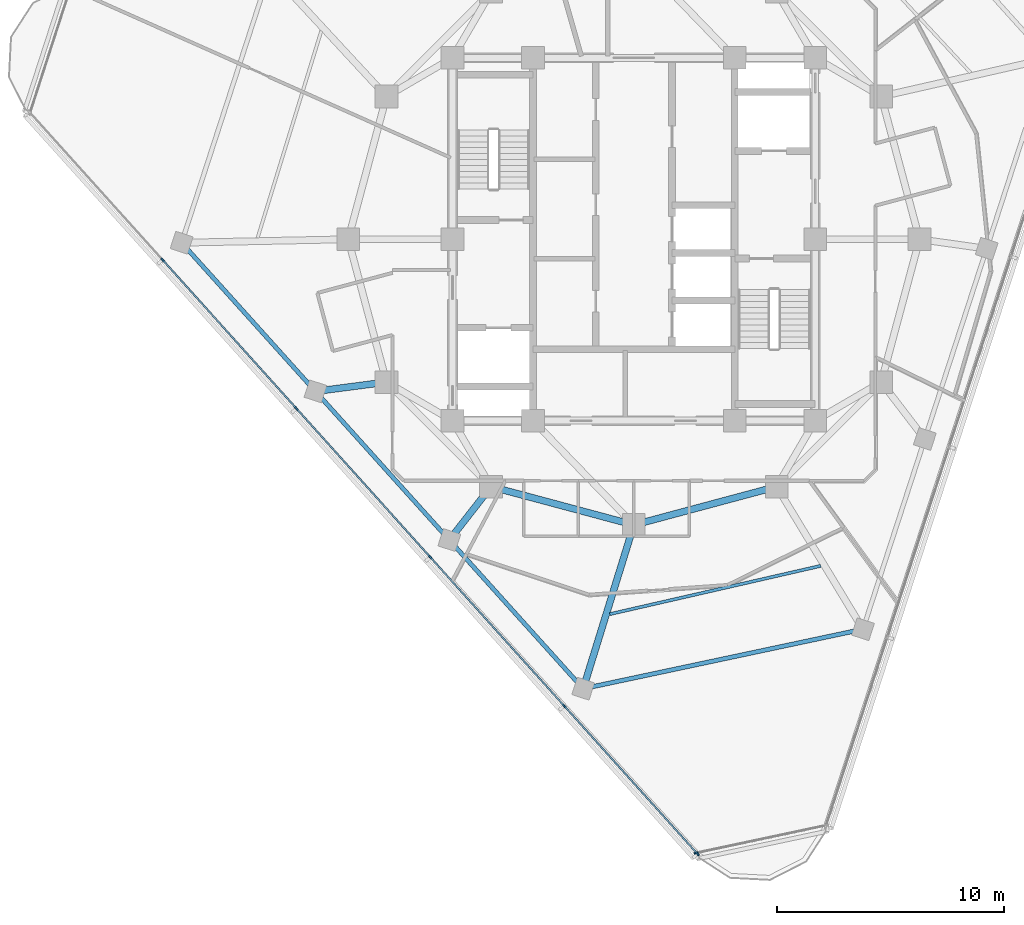
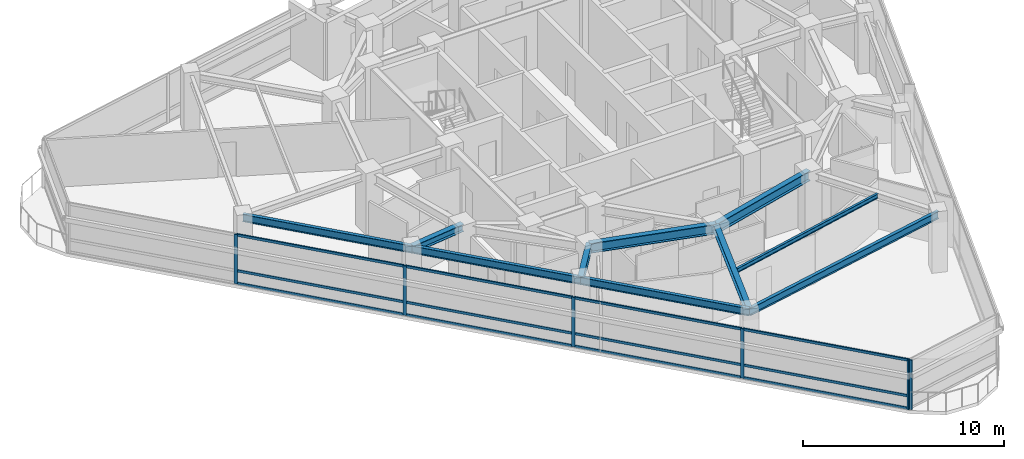
# One storey, part 2 of 15: 18 members, 10 beams, 2 elements without a shape of their own.
"""IFC4 building model written with IfcOpenShell, lengths in metres."""

from ifc_helpers import new_model, si_unit, direction, frame, origin, origin_2d, place, context, subcontext, project, spatial, rectangle, i_section, extrude, material, layer, layer_set, material_profile, profile_set, type_object, element, aggregate, save


model = new_model("IFC4")

# Units and contexts
model_context = context("Model", 3, precision=1e-05, world=origin(), true_north=direction((0.0, 1.0)))
body_context = subcontext(model_context, "Body", "Model", "MODEL_VIEW")
ifc_project = project(units=[si_unit("LENGTHUNIT", "METRE"), si_unit("AREAUNIT", "SQUARE_METRE"), si_unit("VOLUMEUNIT", "CUBIC_METRE"), si_unit("PLANEANGLEUNIT", "RADIAN"), si_unit("MASSUNIT", "GRAM", prefix="KILO")], contexts=[model_context])

# Site, building, storey
site_placement = place(None, origin())
site = spatial("IfcSite", under=ifc_project, at=site_placement, CompositionType="ELEMENT")
building_placement = place(site_placement, origin())
building = spatial("IfcBuilding", under=site, at=building_placement, Name="Terralouvre Media Tower", CompositionType="ELEMENT")
storey_placement = place(building_placement, frame((0.0, 0.0, 294.300048828125)))
storey = spatial("IfcBuildingStorey", under=building, at=storey_placement, Name="L76", CompositionType="ELEMENT", Elevation=294.300048828125)

# Beam
ifc_material_1 = material(Name="Structural steel S355J2", Category="steel")
ifc_material_profile_1 = material_profile(ifc_material_1, i_section(OverallWidth=0.135009765625, OverallDepth=0.27001953125, WebThickness=0.006591796875, FlangeThickness=0.01025390625, at=origin_2d()), Name="IPE 270")
ifc_profile_set_1 = profile_set([ifc_material_profile_1], Name="Structural steel S355J2")
beam_type_1 = type_object("IfcBeamType", Name="Composite Floor Joist J-IPE270 (IPE 270)", PredefinedType="JOIST", material=ifc_profile_set_1)
beam_1_placement = place(storey_placement, frame((-1.062744140625, -16.534912109375, 3.364990234375), z_axis=(0.974794010314, 0.223106784873, 0.0), x_axis=(-0.223106784873, 0.974794010314, 0.0)))
element("IfcBeam", 1, at=beam_1_placement, inside=storey, type_object=beam_type_1, Name="L76 Framing Beam JT-L76-02", PredefinedType="JOIST", context=body_context, shape_type="SweptSolid", body=[
    extrude(i_section(OverallWidth=0.135009765625, OverallDepth=0.27001953125, WebThickness=0.006591796875, FlangeThickness=0.01025390625, at=origin_2d()), origin(), (0.0, 0.0, 1.0), 9.544189453125),
])

# Curtain wall, members
ifc_material_2 = material(Name="Low-iron laminated double glazing with solar-control coating", Category="glass")
ifc_layer_1 = layer(ifc_material_2, 0.1650390625, Name="Faceted Glass-Point Crown Curtain Wall CW-06")
ifc_layer_set_1 = layer_set([ifc_layer_1], Name="Low-iron laminated double glazing with solar-control coating")
curtain_wall_type_1 = type_object("IfcCurtainWallType", Name="Faceted Glass-Point Crown Curtain Wall CW-06", PredefinedType="NOTDEFINED", material=ifc_layer_set_1)
curtain_wall_1_placement = place(storey_placement, origin())
curtain_wall_1 = element("IfcCurtainWall", 2, at=curtain_wall_1_placement, inside=storey, type_object=curtain_wall_type_1, Name="L76 Facade Curtain Wall F2", PredefinedType="NOTDEFINED")
ifc_material_3 = material(Name="Anodised extruded aluminium 6063-T6", Category="aluminium")
ifc_material_profile_2 = material_profile(ifc_material_3, rectangle(XDim=0.074951171875, YDim=0.14990234375, at=origin_2d()), Name="ALU 75x150")
ifc_profile_set_2 = profile_set([ifc_material_profile_2], Name="Anodised extruded aluminium 6063-T6")
member_type_1 = type_object("IfcMemberType", Name="Curtain-Wall Horizontal Transom TR-150", PredefinedType="USERDEFINED", material=ifc_profile_set_2)
member_1_placement = place(storey_placement, frame((-20.763671875, -0.935302734375, 0.037353515625), z_axis=(0.669121968521, -0.74315260293, 0.0), x_axis=(0.74315260293, 0.669121968521, 0.0)))
member_1 = element("IfcMember", 3, at=member_1_placement, type_object=member_type_1, Name="CW-06 transom 2.1", ObjectType="TRANSOM", PredefinedType="USERDEFINED", context=body_context, shape_type="SweptSolid", body=[
    extrude(rectangle(XDim=0.074951171875, YDim=0.14990234375, at=origin_2d()), origin(), (0.0, 0.0, 1.0), 8.749267578125),
])
member_2_placement = place(storey_placement, frame((-20.763671875, -0.935302734375, 0.800048828125), z_axis=(0.669121968521, -0.74315260293, 0.0), x_axis=(0.74315260293, 0.669121968521, 0.0)))
member_2 = element("IfcMember", 4, at=member_2_placement, type_object=member_type_1, Name="CW-06 transom 2.2", ObjectType="TRANSOM", PredefinedType="USERDEFINED", context=body_context, shape_type="SweptSolid", body=[
    extrude(rectangle(XDim=0.074951171875, YDim=0.14990234375, at=origin_2d()), origin(), (0.0, 0.0, 1.0), 8.749267578125),
])
member_3_placement = place(storey_placement, frame((-20.763671875, -0.935302734375, 2.96240234375), z_axis=(0.669121968521, -0.74315260293, 0.0), x_axis=(0.74315260293, 0.669121968521, 0.0)))
member_3 = element("IfcMember", 5, at=member_3_placement, type_object=member_type_1, Name="CW-06 transom 2.3", ObjectType="TRANSOM", PredefinedType="USERDEFINED", context=body_context, shape_type="SweptSolid", body=[
    extrude(rectangle(XDim=0.074951171875, YDim=0.14990234375, at=origin_2d()), origin(), (0.0, 0.0, 1.0), 8.749267578125),
])
member_4_placement = place(storey_placement, frame((-14.859375, -7.492919921875, 0.037353515625), z_axis=(0.669135844476, -0.743140109022, 0.0), x_axis=(0.743140109022, 0.669135844476, 0.0)))
member_4 = element("IfcMember", 6, at=member_4_placement, type_object=member_type_1, Name="CW-06 transom 3.1", ObjectType="TRANSOM", PredefinedType="USERDEFINED", context=body_context, shape_type="SweptSolid", body=[
    extrude(rectangle(XDim=0.074951171875, YDim=0.14990234375, at=origin_2d()), origin(), (0.0, 0.0, 1.0), 8.7490234375),
])
member_5_placement = place(storey_placement, frame((-14.859375, -7.492919921875, 0.800048828125), z_axis=(0.669135844476, -0.743140109022, 0.0), x_axis=(0.743140109022, 0.669135844476, 0.0)))
member_5 = element("IfcMember", 7, at=member_5_placement, type_object=member_type_1, Name="CW-06 transom 3.2", ObjectType="TRANSOM", PredefinedType="USERDEFINED", context=body_context, shape_type="SweptSolid", body=[
    extrude(rectangle(XDim=0.074951171875, YDim=0.14990234375, at=origin_2d()), origin(), (0.0, 0.0, 1.0), 8.7490234375),
])
member_6_placement = place(storey_placement, frame((-14.859375, -7.492919921875, 2.96240234375), z_axis=(0.669135844476, -0.743140109022, 0.0), x_axis=(0.743140109022, 0.669135844476, 0.0)))
member_6 = element("IfcMember", 8, at=member_6_placement, type_object=member_type_1, Name="CW-06 transom 3.3", ObjectType="TRANSOM", PredefinedType="USERDEFINED", context=body_context, shape_type="SweptSolid", body=[
    extrude(rectangle(XDim=0.074951171875, YDim=0.14990234375, at=origin_2d()), origin(), (0.0, 0.0, 1.0), 8.7490234375),
])
member_7_placement = place(storey_placement, frame((-8.954833984375, -14.050537109375, 0.037353515625), z_axis=(0.669135844476, -0.743140109022, 0.0), x_axis=(0.743140109022, 0.669135844476, 0.0)))
member_7 = element("IfcMember", 9, at=member_7_placement, type_object=member_type_1, Name="CW-06 transom 4.1", ObjectType="TRANSOM", PredefinedType="USERDEFINED", context=body_context, shape_type="SweptSolid", body=[
    extrude(rectangle(XDim=0.074951171875, YDim=0.14990234375, at=origin_2d()), origin(), (0.0, 0.0, 1.0), 8.7490234375),
])
member_8_placement = place(storey_placement, frame((-8.954833984375, -14.050537109375, 0.800048828125), z_axis=(0.669135844476, -0.743140109022, 0.0), x_axis=(0.743140109022, 0.669135844476, 0.0)))
member_8 = element("IfcMember", 10, at=member_8_placement, type_object=member_type_1, Name="CW-06 transom 4.2", ObjectType="TRANSOM", PredefinedType="USERDEFINED", context=body_context, shape_type="SweptSolid", body=[
    extrude(rectangle(XDim=0.074951171875, YDim=0.14990234375, at=origin_2d()), origin(), (0.0, 0.0, 1.0), 8.7490234375),
])
member_9_placement = place(storey_placement, frame((-8.954833984375, -14.050537109375, 2.96240234375), z_axis=(0.669135844476, -0.743140109022, 0.0), x_axis=(0.743140109022, 0.669135844476, 0.0)))
member_9 = element("IfcMember", 11, at=member_9_placement, type_object=member_type_1, Name="CW-06 transom 4.3", ObjectType="TRANSOM", PredefinedType="USERDEFINED", context=body_context, shape_type="SweptSolid", body=[
    extrude(rectangle(XDim=0.074951171875, YDim=0.14990234375, at=origin_2d()), origin(), (0.0, 0.0, 1.0), 8.7490234375),
])
member_10_placement = place(storey_placement, frame((-3.050537109375, -20.60791015625, 0.037353515625), z_axis=(0.669130389016, -0.743145021174, 0.0), x_axis=(0.743145021174, 0.669130389016, 0.0)))
member_10 = element("IfcMember", 12, at=member_10_placement, type_object=member_type_1, Name="CW-06 transom 5.1", ObjectType="TRANSOM", PredefinedType="USERDEFINED", context=body_context, shape_type="SweptSolid", body=[
    extrude(rectangle(XDim=0.074951171875, YDim=0.14990234375, at=origin_2d()), origin(), (0.0, 0.0, 1.0), 8.71142578125),
])
member_11_placement = place(storey_placement, frame((-3.050537109375, -20.60791015625, 0.800048828125), z_axis=(0.669130389016, -0.743145021174, 0.0), x_axis=(0.743145021174, 0.669130389016, 0.0)))
member_11 = element("IfcMember", 13, at=member_11_placement, type_object=member_type_1, Name="CW-06 transom 5.2", ObjectType="TRANSOM", PredefinedType="USERDEFINED", context=body_context, shape_type="SweptSolid", body=[
    extrude(rectangle(XDim=0.074951171875, YDim=0.14990234375, at=origin_2d()), origin(), (0.0, 0.0, 1.0), 8.71142578125),
])
member_12_placement = place(storey_placement, frame((-3.050537109375, -20.60791015625, 2.96240234375), z_axis=(0.669130389016, -0.743145021174, 0.0), x_axis=(0.743145021174, 0.669130389016, 0.0)))
member_12 = element("IfcMember", 14, at=member_12_placement, type_object=member_type_1, Name="CW-06 transom 5.3", ObjectType="TRANSOM", PredefinedType="USERDEFINED", context=body_context, shape_type="SweptSolid", body=[
    extrude(rectangle(XDim=0.074951171875, YDim=0.14990234375, at=origin_2d()), origin(), (0.0, 0.0, 1.0), 8.71142578125),
])
ifc_material_4 = material(Name="Anodised extruded aluminium 6063-T6", Category="aluminium")
ifc_material_profile_3 = material_profile(ifc_material_4, rectangle(XDim=0.074951171875, YDim=0.179931640625, at=origin_2d()), Name="ALU 75x180")
ifc_profile_set_3 = profile_set([ifc_material_profile_3], Name="Anodised extruded aluminium 6063-T6")
member_type_2 = type_object("IfcMemberType", Name="Curtain-Wall Vertical Mullion ML-180", PredefinedType="MULLION", material=ifc_profile_set_3)
member_13_placement = place(storey_placement, frame((-20.788818359375, -0.907470703125, 0.0), z_axis=(0.0, 0.0, 1.0), x_axis=(0.743144855036, 0.669130573531, 0.0)))
member_13 = element("IfcMember", 15, at=member_13_placement, type_object=member_type_2, Name="CW-06 mullion 2", PredefinedType="MULLION", context=body_context, shape_type="SweptSolid", body=[
    extrude(rectangle(XDim=0.074951171875, YDim=0.179931640625, at=origin_2d()), origin(), (0.0, 0.0, 1.0), 3.0),
])
member_14_placement = place(storey_placement, frame((-14.88427734375, -7.465087890625, 0.0), z_axis=(0.0, 0.0, 1.0), x_axis=(0.743144855036, 0.669130573531, 0.0)))
member_14 = element("IfcMember", 16, at=member_14_placement, type_object=member_type_2, Name="CW-06 mullion 3", PredefinedType="MULLION", context=body_context, shape_type="SweptSolid", body=[
    extrude(rectangle(XDim=0.074951171875, YDim=0.179931640625, at=origin_2d()), origin(), (0.0, 0.0, 1.0), 3.0),
])
member_15_placement = place(storey_placement, frame((-8.97998046875, -14.0224609375, 0.0), z_axis=(0.0, 0.0, 1.0), x_axis=(0.743144855036, 0.669130573531, 0.0)))
member_15 = element("IfcMember", 17, at=member_15_placement, type_object=member_type_2, Name="CW-06 mullion 4", PredefinedType="MULLION", context=body_context, shape_type="SweptSolid", body=[
    extrude(rectangle(XDim=0.074951171875, YDim=0.179931640625, at=origin_2d()), origin(), (0.0, 0.0, 1.0), 3.0),
])
member_16_placement = place(storey_placement, frame((-3.07568359375, -20.580078125, 0.0), z_axis=(0.0, 0.0, 1.0), x_axis=(0.743144855036, 0.669130573531, 0.0)))
member_16 = element("IfcMember", 18, at=member_16_placement, type_object=member_type_2, Name="CW-06 mullion 5", PredefinedType="MULLION", context=body_context, shape_type="SweptSolid", body=[
    extrude(rectangle(XDim=0.074951171875, YDim=0.179931640625, at=origin_2d()), origin(), (0.0, 0.0, 1.0), 3.0),
])
member_17_placement = place(storey_placement, frame((2.8037109375, -27.109619140625, 0.0), z_axis=(0.0, 0.0, 1.0), x_axis=(0.743144855036, 0.669130573531, 0.0)))
member_17 = element("IfcMember", 19, at=member_17_placement, type_object=member_type_2, Name="CW-06 mullion 6", PredefinedType="MULLION", context=body_context, shape_type="SweptSolid", body=[
    extrude(rectangle(XDim=0.074951171875, YDim=0.179931640625, at=origin_2d()), origin(), (0.0, 0.0, 1.0), 3.0),
])
aggregate(curtain_wall_1, [member_13, member_14, member_15, member_16, member_17, member_1, member_2, member_3, member_4, member_5, member_6, member_7, member_8, member_9, member_10, member_11, member_12])

# Curtain wall, member
ifc_material_5 = material(Name="Low-iron laminated double glazing with solar-control coating", Category="glass")
ifc_layer_2 = layer(ifc_material_5, 0.1650390625, Name="Rounded Wind-Corner Curved Glazing CW-04")
ifc_layer_set_2 = layer_set([ifc_layer_2], Name="Low-iron laminated double glazing with solar-control coating")
curtain_wall_type_2 = type_object("IfcCurtainWallType", Name="Rounded Wind-Corner Curved Glazing CW-04", PredefinedType="NOTDEFINED", material=ifc_layer_set_2)
curtain_wall_2_placement = place(storey_placement, origin())
curtain_wall_2 = element("IfcCurtainWall", 20, at=curtain_wall_2_placement, inside=storey, type_object=curtain_wall_type_2, Name="L76 Rounded Wind-Corner Curtain Wall C0", PredefinedType="NOTDEFINED")
member_18_placement = place(storey_placement, frame((2.747314453125, -27.0732421875, 0.0), z_axis=(0.0, 0.0, 1.0), x_axis=(-0.207911647592, 0.978147609922, 0.0)))
member_18 = element("IfcMember", 21, at=member_18_placement, type_object=member_type_2, Name="CW-04 mullion 1", PredefinedType="MULLION", context=body_context, shape_type="SweptSolid", body=[
    extrude(rectangle(XDim=0.074951171875, YDim=0.179931640625, at=origin_2d()), origin(), (0.0, 0.0, 1.0), 3.0),
])
aggregate(curtain_wall_2, [member_18])

# Beams
ifc_material_6 = material(Name="Structural steel S355J2", Category="steel")
ifc_material_profile_4 = material_profile(ifc_material_6, i_section(OverallWidth=0.18994140625, OverallDepth=0.449951171875, WebThickness=0.009521484375, FlangeThickness=0.0146484375, at=origin_2d()), Name="IPE 450")
ifc_profile_set_4 = profile_set([ifc_material_profile_4], Name="Structural steel S355J2")
beam_type_2 = type_object("IfcBeamType", Name="Perimeter Spandrel Beam SPB-450 (IPE 450)", PredefinedType="SPANDREL", material=ifc_profile_set_4)
for number, where, z_axis, x_axis, name in (
    (22, (-19.948974609375, -0.1513671875, 3.27490234375), (0.669117578136, -0.743156555935, 0.0), (0.743156555935, 0.669117578136, 0.0), "L76 Framing Beam BM-L76-PR01"),
    (23, (-14.044677734375, -6.708984375, 3.27490234375), (0.669146616148, -0.743130409887, 0.0), (0.743130409887, 0.669146616148, 0.0), "L76 Framing Beam BM-L76-PR02"),
    (24, (-8.14013671875, -13.266357421875, 3.27490234375), (0.669117578136, -0.743156555935, 0.0), (0.743156555935, 0.669117578136, 0.0), "L76 Framing Beam BM-L76-PR03"),
):
    element("IfcBeam", number, at=place(storey_placement, frame(where, z_axis=z_axis, x_axis=x_axis)), inside=storey, type_object=beam_type_2, Name=name, PredefinedType="SPANDREL", context=body_context, shape_type="SweptSolid", body=[
        extrude(i_section(OverallWidth=0.18994140625, OverallDepth=0.449951171875, WebThickness=0.009521484375, FlangeThickness=0.0146484375, at=origin_2d()), origin(), (0.0, 0.0, 1.0), 8.823974609375),
    ])
beam_2_placement = place(storey_placement, frame((-2.23583984375, -19.823974609375, 3.27490234375), z_axis=(0.978147391184, 0.207912676669, 0.0), x_axis=(-0.207912676669, 0.978147391184, 0.0)))
element("IfcBeam", 25, at=beam_2_placement, inside=storey, type_object=beam_type_2, Name="L76 Framing Beam BM-L76-PR04", PredefinedType="SPANDREL", context=body_context, shape_type="SweptSolid", body=[
    extrude(i_section(OverallWidth=0.18994140625, OverallDepth=0.449951171875, WebThickness=0.009521484375, FlangeThickness=0.0146484375, at=origin_2d()), origin(), (0.0, 0.0, 1.0), 12.6171875),
])
ifc_material_7 = material(Name="Structural steel S355J2", Category="steel")
ifc_material_profile_5 = material_profile(ifc_material_7, i_section(OverallWidth=0.300048828125, OverallDepth=0.449951171875, WebThickness=0.013916015625, FlangeThickness=0.02587890625, at=origin_2d()), Name="HEB 450")
ifc_profile_set_5 = profile_set([ifc_material_profile_5], Name="Structural steel S355J2")
beam_type_3 = type_object("IfcBeamType", Name="Primary Floor Girder B-HEB450 (HEB 450)", PredefinedType="BEAM", material=ifc_profile_set_5)
beam_3_placement = place(storey_placement, frame((-10.911865234375, -6.300048828125, 3.27490234375), z_axis=(-0.991587910477, -0.129434986756, 0.0), x_axis=(0.129434986756, -0.991587910477, 0.0)))
element("IfcBeam", 26, at=beam_3_placement, inside=storey, type_object=beam_type_3, Name="L76 Framing Beam BM-L76-RD02", PredefinedType="BEAM", context=body_context, shape_type="SweptSolid", body=[
    extrude(i_section(OverallWidth=0.300048828125, OverallDepth=0.449951171875, WebThickness=0.013916015625, FlangeThickness=0.02587890625, at=origin_2d()), origin(), (0.0, 0.0, 1.0), 3.159423828125),
])
beam_4_placement = place(storey_placement, frame((-6.300048828125, -10.911865234375, 3.27490234375), z_axis=(-0.615777211554, -0.787920316867, 0.0), x_axis=(0.787920316867, -0.615777211554, 0.0)))
element("IfcBeam", 27, at=beam_4_placement, inside=storey, type_object=beam_type_3, Name="L76 Framing Beam BM-L76-RD03", PredefinedType="BEAM", context=body_context, shape_type="SweptSolid", body=[
    extrude(i_section(OverallWidth=0.300048828125, OverallDepth=0.449951171875, WebThickness=0.013916015625, FlangeThickness=0.02587890625, at=origin_2d()), origin(), (0.0, 0.0, 1.0), 2.98828125),
])
beam_5_placement = place(storey_placement, frame((0.0, -12.60009765625, 3.27490234375), z_axis=(-0.295668996709, -0.955290450274, 0.0), x_axis=(0.955290450274, -0.295668996709, 0.0)))
element("IfcBeam", 28, at=beam_5_placement, inside=storey, type_object=beam_type_3, Name="L76 Framing Beam BM-L76-RD04", PredefinedType="BEAM", context=body_context, shape_type="SweptSolid", body=[
    extrude(i_section(OverallWidth=0.300048828125, OverallDepth=0.449951171875, WebThickness=0.013916015625, FlangeThickness=0.02587890625, at=origin_2d()), origin(), (0.0, 0.0, 1.0), 7.56201171875),
])
ifc_material_8 = material(Name="Structural steel S460M", Category="steel")
ifc_material_profile_6 = material_profile(ifc_material_8, i_section(OverallWidth=0.300048828125, OverallDepth=0.60009765625, WebThickness=0.015380859375, FlangeThickness=0.030029296875, at=origin_2d()), Name="HEB 600")
ifc_profile_set_6 = profile_set([ifc_material_profile_6], Name="Structural steel S460M")
beam_type_4 = type_object("IfcBeamType", Name="Primary Floor Girder B-HEB600 (HEB 600)", PredefinedType="BEAM", material=ifc_profile_set_6)
for number, where, z_axis, x_axis, name in (
    (29, (-6.300048828125, -10.911865234375, 3.199951171875), (0.965920481897, -0.258838989821, 0.0), (0.258838989821, 0.965920481897, 0.0), "L76 Framing Beam BM-L76-MR02"),
    (30, (0.0, -12.60009765625, 3.199951171875), (0.965920481897, 0.258838989821, 0.0), (-0.258838989821, 0.965920481897, 0.0), "L76 Framing Beam BM-L76-MR03"),
):
    element("IfcBeam", number, at=place(storey_placement, frame(where, z_axis=z_axis, x_axis=x_axis)), inside=storey, type_object=beam_type_4, Name=name, PredefinedType="BEAM", context=body_context, shape_type="SweptSolid", body=[
        extrude(i_section(OverallWidth=0.300048828125, OverallDepth=0.60009765625, WebThickness=0.015380859375, FlangeThickness=0.030029296875, at=origin_2d()), origin(), (0.0, 0.0, 1.0), 6.522216796875),
    ])

save(model, "model.ifc")
